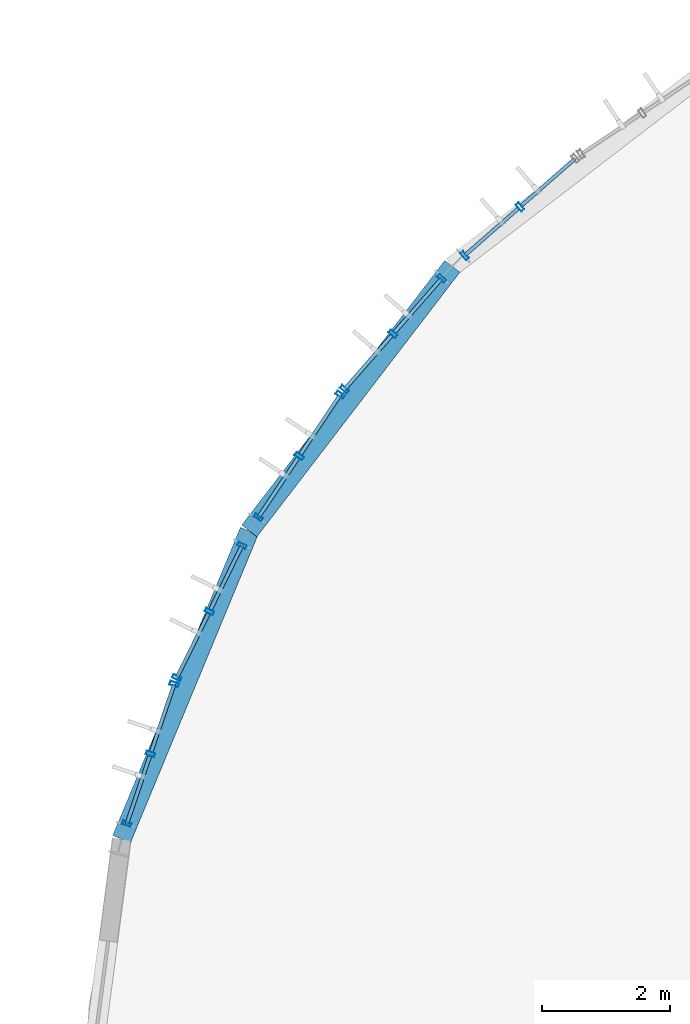
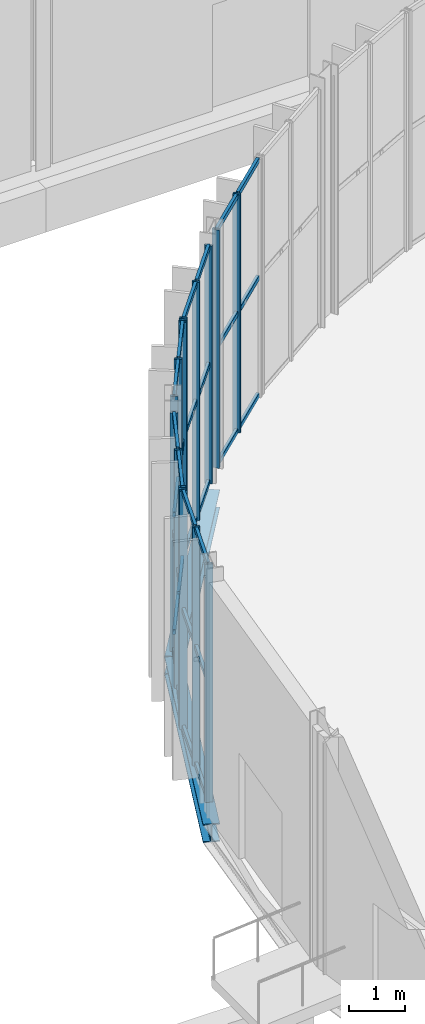
# One storey, part 56 of 158: 44 members, 2 beams, 5 elements without a shape of their own.
"""IFC4 building model written with IfcOpenShell, lengths in metres."""

import ifcopenshell
import ifcopenshell.guid

model = None  # the IFC model being written
_history = None  # IfcOwnerHistory: only IFC2X3 demands one
_inside = {}  # id of a spatial element -> (the spatial element, [elements in it])
_under = {}  # id of a project, library or spatial element -> (it, [spatial elements below it])
_declared = {}  # id of a project -> (the project, [libraries it declares])
_typed = {}  # id of a type object -> (the type object, [elements of that type])
_made_of = {}  # id of a material, layer set ... -> (it, [elements and type objects made of it])


def new_model(schema):
    """Start an empty IFC model of exactly this schema.

    Asked for "IFC4X3", IfcOpenShell would pick the latest addendum, in which some entities
    have other attributes; the version numbers below select the first issue.
    IFC2X3 requires an IfcOwnerHistory on every rooted entity: one is made here for all.
    """
    global model, _history
    if schema == "IFC4X3":
        model = ifcopenshell.file(schema_version=(4, 3, 0, 0))
    else:
        model = ifcopenshell.file(schema=schema)
    _inside.clear()
    _under.clear()
    _declared.clear()
    _typed.clear()
    _made_of.clear()
    _history = None
    if model.schema == "IFC2X3":
        org = make("IfcOrganization", Name="unknown")
        user = make(
            "IfcPersonAndOrganization",
            ThePerson=make("IfcPerson", FamilyName="unknown"),
            TheOrganization=org,
        )
        app = make(
            "IfcApplication",
            ApplicationDeveloper=org,
            Version="unknown",
            ApplicationFullName="unknown",
            ApplicationIdentifier="unknown",
        )
        _history = make(
            "IfcOwnerHistory",
            OwningUser=user,
            OwningApplication=app,
            ChangeAction="ADDED",
            CreationDate=0,
        )
    return model


def make(cls, **values):
    """One entity of the class cls with the attributes given. An attribute that is None is left unset."""
    return model.create_entity(
        cls, **{name: value for name, value in values.items() if value is not None}
    )


def rooted(cls, **values):
    """An entity with a GlobalId (a new one), such as an element, a storey or a relation."""
    return make(cls, GlobalId=ifcopenshell.guid.new(), OwnerHistory=_history, **values)


def si_unit(unit_type, name, prefix=None):
    """IfcSIUnit, for example si_unit("LENGTHUNIT", "METRE", prefix="MILLI")."""
    return make("IfcSIUnit", UnitType=unit_type, Prefix=prefix, Name=name)


def derived_unit(unit_type, elements):
    """IfcDerivedUnit: a product of units, each with its exponent."""
    return make(
        "IfcDerivedUnit",
        Elements=[
            make("IfcDerivedUnitElement", Unit=unit, Exponent=power)
            for unit, power in elements
        ],
        UnitType=unit_type,
    )


def assignment(units):
    """IfcUnitAssignment: the units of a project."""
    return None if units is None else make("IfcUnitAssignment", Units=units)


def point(xyz):
    """IfcCartesianPoint."""
    return None if xyz is None else make("IfcCartesianPoint", Coordinates=xyz)


def direction(xyz):
    """IfcDirection."""
    return None if xyz is None else make("IfcDirection", DirectionRatios=xyz)


def frame(location, z_axis=None, x_axis=None):
    """IfcAxis2Placement3D, a coordinate frame: its origin and axes. An axis left out is left unset."""
    return make(
        "IfcAxis2Placement3D",
        Location=point(location),
        Axis=direction(z_axis),
        RefDirection=direction(x_axis),
    )


def frame_2d(location, x_axis=None):
    """IfcAxis2Placement2D, a coordinate frame in the plane: its origin and x axis."""
    return make(
        "IfcAxis2Placement2D", Location=point(location), RefDirection=direction(x_axis)
    )


def origin():
    """The frame at (0, 0, 0) with its axes left unset."""
    return frame((0.0, 0.0, 0.0))


def origin_2d():
    """The frame at (0, 0) in the plane with its x axis left unset."""
    return frame_2d((0.0, 0.0))


def place(relative_to, where):
    """IfcLocalPlacement: puts the frame where relative to a parent placement (None: the world)."""
    return make(
        "IfcLocalPlacement", PlacementRelTo=relative_to, RelativePlacement=where
    )


def context(
    kind, dimensions, precision=None, world=None, true_north=None, identifier=None
):
    """IfcGeometricRepresentationContext, for example the 3D "Model" context."""
    return make(
        "IfcGeometricRepresentationContext",
        ContextIdentifier=identifier,
        ContextType=kind,
        CoordinateSpaceDimension=dimensions,
        Precision=precision,
        WorldCoordinateSystem=world,
        TrueNorth=true_north,
    )


def subcontext(parent, identifier, kind, view, scale=None):
    """IfcGeometricRepresentationSubContext, for example "Body" below "Model"."""
    return make(
        "IfcGeometricRepresentationSubContext",
        ContextIdentifier=identifier,
        ContextType=kind,
        ParentContext=parent,
        TargetScale=scale,
        TargetView=view,
    )


def project(units=None, contexts=None):
    """IfcProject with its units and contexts."""
    return rooted(
        "IfcProject",
        Name="project",
        RepresentationContexts=contexts,
        UnitsInContext=assignment(units),
    )


def spatial(cls, under=None, at=None, **own):
    """A site, building, storey or space (cls), placed at a placement, below another one or the project."""
    s = rooted(cls, ObjectPlacement=at, **own)
    if under is not None:
        _under.setdefault(under.id(), (under, []))[1].append(s)
    return s


def profile(cls, at=None, kind="AREA", **sizes):
    """A parametric profile (cls). Its sizes go by their IFC names, for example OverallWidth=200.0."""
    return make(cls, ProfileType=kind, Position=at, **sizes)


def hollow_rectangle(**sizes):
    """IfcRectangleHollowProfileDef."""
    return profile("IfcRectangleHollowProfileDef", **sizes)


def i_section(**sizes):
    """IfcIShapeProfileDef."""
    return profile("IfcIShapeProfileDef", **sizes)


def extrude(swept, where, along, depth):
    """IfcExtrudedAreaSolid: the profile swept, set in the frame where, extruded along a direction by depth."""
    return make(
        "IfcExtrudedAreaSolid",
        SweptArea=swept,
        Position=where,
        ExtrudedDirection=direction(along),
        Depth=depth,
    )


def shape(context_of_items, identifier, shape_type, items):
    """IfcShapeRepresentation: the items that make up one representation, for example the "Body"."""
    return make(
        "IfcShapeRepresentation",
        ContextOfItems=context_of_items,
        RepresentationIdentifier=identifier,
        RepresentationType=shape_type,
        Items=items,
    )


def material(Name=None, Category=None):
    """IfcMaterial."""
    return make("IfcMaterial", Name=Name, Category=Category)


def material_profile(
    of_material, cross_section, Name=None, Category=None, Priority=None
):
    """IfcMaterialProfile: a cross section and its material."""
    return make(
        "IfcMaterialProfile",
        Name=Name,
        Material=of_material,
        Profile=cross_section,
        Priority=Priority,
        Category=Category,
    )


def profile_set(profiles, Name=None, composite=None):
    """IfcMaterialProfileSet."""
    return make(
        "IfcMaterialProfileSet",
        Name=Name,
        MaterialProfiles=profiles,
        CompositeProfile=composite,
    )


def made_of(thing, what):
    """Note that an element or type object is made of a material, layer set ...; save() writes the relation."""
    if what is not None:
        _made_of.setdefault(what.id(), (what, []))[1].append(thing)
    return thing


def type_object(cls, material=None, **own):
    """A type object (cls), such as IfcWallType, which elements share."""
    return made_of(rooted(cls, **own), material)


def element(
    cls,
    number,
    at=None,
    inside=None,
    cuts=None,
    type_object=None,
    material=None,
    context=None,
    identifier="Body",
    shape_type=None,
    held_by="IfcProductDefinitionShape",
    body=None,
    shapes=None,
    **own,
):
    """One element of the class cls, such as IfcWall. Its Tag is "e" and its number.

    at: its placement. inside: the storey or other place that contains it. cuts: it is an
    opening in that element (IfcRelVoidsElement). A single representation is given by context,
    identifier, shape_type and body (its items); several are given by shapes. held_by: the class
    of the entity that holds the representations. save() writes the other relations.
    """
    e = rooted(cls, Tag="e%d" % number, ObjectPlacement=at, **own)
    if body is not None:
        shapes = [shape(context, identifier, shape_type, body)]
    if shapes is not None:
        e.Representation = make(held_by, Representations=shapes)
    if inside is not None:
        _inside.setdefault(inside.id(), (inside, []))[1].append(e)
    if cuts is not None:
        rooted(
            "IfcRelVoidsElement", RelatingBuildingElement=cuts, RelatedOpeningElement=e
        )
    if type_object is not None:
        _typed.setdefault(type_object.id(), (type_object, []))[1].append(e)
    return made_of(e, material)


def aggregate(whole, parts):
    """IfcRelAggregates: a whole, such as a stair, and the parts it consists of."""
    return rooted("IfcRelAggregates", RelatingObject=whole, RelatedObjects=parts)


def save(model, path):
    """Write the relations noted so far, then the file.

    IfcRelAggregates (storeys below a building ...), IfcRelContainedInSpatialStructure (elements
    in a storey), IfcRelDefinesByType, IfcRelAssociatesMaterial and IfcRelDeclares: one each for
    every whole, place, type object, material and project.
    """
    for whole, parts in _under.values():
        aggregate(whole, parts)
    for where, things in _inside.values():
        rooted(
            "IfcRelContainedInSpatialStructure",
            RelatedElements=things,
            RelatingStructure=where,
        )
    for kind, things in _typed.values():
        rooted("IfcRelDefinesByType", RelatedObjects=things, RelatingType=kind)
    for what, things in _made_of.values():
        rooted("IfcRelAssociatesMaterial", RelatedObjects=things, RelatingMaterial=what)
    for by, libraries in _declared.values():
        rooted("IfcRelDeclares", RelatingContext=by, RelatedDefinitions=libraries)
    model.write(path)


model = new_model("IFC4")

# Units and contexts
model_context = context("Model", 3, precision=1e-05, world=origin(), true_north=direction((0.0, 1.0)))
body_context = subcontext(model_context, "Body", "Model", "MODEL_VIEW")
ifc_project = project(units=[si_unit("LENGTHUNIT", "METRE"), si_unit("AREAUNIT", "SQUARE_METRE"), si_unit("VOLUMEUNIT", "CUBIC_METRE"), si_unit("PLANEANGLEUNIT", "RADIAN"), si_unit("MASSUNIT", "GRAM", prefix="KILO"), si_unit("THERMODYNAMICTEMPERATUREUNIT", "KELVIN"), si_unit("TIMEUNIT", "SECOND"), derived_unit("THERMALTRANSMITTANCEUNIT", [(si_unit("MASSUNIT", "GRAM", prefix="KILO"), 1), (si_unit("THERMODYNAMICTEMPERATUREUNIT", "KELVIN"), -1), (si_unit("TIMEUNIT", "SECOND"), -3)])], contexts=[model_context])

# Site, building, storey
site_placement = place(None, origin())
site = spatial("IfcSite", under=ifc_project, at=site_placement, CompositionType="ELEMENT")
building_placement = place(site_placement, origin())
building = spatial("IfcBuilding", under=site, at=building_placement, Name="Cambertide Market Hall", CompositionType="ELEMENT")
storey_placement = place(building_placement, origin())
storey = spatial("IfcBuildingStorey", under=building, at=storey_placement, Name="L01", CompositionType="ELEMENT", Elevation=0.0)

# Curtain wall, members
ifc_material_1 = material(Name="Marine Anodized Aluminium 6063-T6 AA25", Category="aluminium")
curtain_wall_type = type_object("IfcCurtainWallType", Name="Lantern Apse Chord Lower Curtain Wall", PredefinedType="USERDEFINED", material=ifc_material_1)
curtain_wall_1_placement = place(storey_placement, origin())
curtain_wall_1 = element("IfcCurtainWall", 1, at=curtain_wall_1_placement, inside=storey, type_object=curtain_wall_type, Name="Level 1 Curtain Wall CW-V1AW-L01-06", ObjectType="UNITIZED CURTAIN WALL", PredefinedType="USERDEFINED")
ifc_material_2 = material(Name="Champagne Marine Anodized Aluminium 6063-T6 AA25", Category="aluminium")
ifc_material_profile_1 = material_profile(ifc_material_2, hollow_rectangle(XDim=0.06005859375, YDim=0.139892578125, WallThickness=0.00341796875, at=origin_2d()), Name="ALU MULLION 60x140")
ifc_profile_set_1 = profile_set([ifc_material_profile_1], Name="Champagne Marine Anodized Aluminium 6063-T6 AA25")
member_type_1 = type_object("IfcMemberType", Name="Curtain Wall Mullion ALU MULLION 60x140", PredefinedType="MULLION", material=ifc_profile_set_1)
member_1_placement = place(storey_placement, frame((28.049560546875, 86.310302734375, 0.0), z_axis=(0.0, 0.0, 1.0), x_axis=(0.751839834741, 0.659345784014, 0.0)))
member_1 = element("IfcMember", 2, at=member_1_placement, type_object=member_type_1, Name="CW-V1AW-L01-06 Mullion 1", PredefinedType="MULLION", context=body_context, shape_type="SweptSolid", body=[
    extrude(hollow_rectangle(XDim=0.06005859375, YDim=0.139892578125, WallThickness=0.00341796875, at=origin_2d()), origin(), (0.0, 0.0, 1.0), 5.159912109375),
])
member_2_placement = place(storey_placement, frame((28.91650390625, 87.070556640625, 0.0), z_axis=(0.0, 0.0, 1.0), x_axis=(0.751839834741, 0.659345784014, 0.0)))
member_2 = element("IfcMember", 3, at=member_2_placement, type_object=member_type_1, Name="CW-V1AW-L01-06 Mullion 2", PredefinedType="MULLION", context=body_context, shape_type="SweptSolid", body=[
    extrude(hollow_rectangle(XDim=0.06005859375, YDim=0.139892578125, WallThickness=0.00341796875, at=origin_2d()), origin(), (0.0, 0.0, 1.0), 5.159912109375),
])

curtain_wall_2_placement = place(storey_placement, origin())
curtain_wall_2 = element("IfcCurtainWall", 4, at=curtain_wall_2_placement, inside=storey, type_object=curtain_wall_type, Name="Level 1 Curtain Wall CW-V1AW-L01-07", ObjectType="UNITIZED CURTAIN WALL", PredefinedType="USERDEFINED")
member_3_placement = place(storey_placement, frame((26.169189453125, 84.216552734375, 0.0), z_axis=(0.0, 0.0, 1.0), x_axis=(0.659345784014, 0.751839834741, 0.0)))
member_3 = element("IfcMember", 5, at=member_3_placement, type_object=member_type_1, Name="CW-V1AW-L01-07 Mullion 1", PredefinedType="MULLION", context=body_context, shape_type="SweptSolid", body=[
    extrude(hollow_rectangle(XDim=0.06005859375, YDim=0.139892578125, WallThickness=0.00341796875, at=origin_2d()), origin(), (0.0, 0.0, 1.0), 5.159912109375),
])
member_4_placement = place(storey_placement, frame((26.929443359375, 85.08349609375, 0.0), z_axis=(0.0, 0.0, 1.0), x_axis=(0.659345784014, 0.751839834741, 0.0)))
member_4 = element("IfcMember", 6, at=member_4_placement, type_object=member_type_1, Name="CW-V1AW-L01-07 Mullion 2", PredefinedType="MULLION", context=body_context, shape_type="SweptSolid", body=[
    extrude(hollow_rectangle(XDim=0.06005859375, YDim=0.139892578125, WallThickness=0.00341796875, at=origin_2d()), origin(), (0.0, 0.0, 1.0), 5.159912109375),
])
member_5_placement = place(storey_placement, frame((27.689697265625, 85.950439453125, 0.0), z_axis=(0.0, 0.0, 1.0), x_axis=(0.659345784014, 0.751839834741, 0.0)))
member_5 = element("IfcMember", 7, at=member_5_placement, type_object=member_type_1, Name="CW-V1AW-L01-07 Mullion 3", PredefinedType="MULLION", context=body_context, shape_type="SweptSolid", body=[
    extrude(hollow_rectangle(XDim=0.06005859375, YDim=0.139892578125, WallThickness=0.00341796875, at=origin_2d()), origin(), (0.0, 0.0, 1.0), 5.159912109375),
])

curtain_wall_3_placement = place(storey_placement, origin())
curtain_wall_3 = element("IfcCurtainWall", 8, at=curtain_wall_3_placement, inside=storey, type_object=curtain_wall_type, Name="Level 1 Curtain Wall CW-V1AW-L01-08", ObjectType="UNITIZED CURTAIN WALL", PredefinedType="USERDEFINED")
member_6_placement = place(storey_placement, frame((24.821044921875, 82.2119140625, 0.0), z_axis=(0.0, 0.0, 1.0), x_axis=(0.555570087582, 0.831469709481, 0.0)))
member_6 = element("IfcMember", 9, at=member_6_placement, type_object=member_type_1, Name="CW-V1AW-L01-08 Mullion 1", PredefinedType="MULLION", context=body_context, shape_type="SweptSolid", body=[
    extrude(hollow_rectangle(XDim=0.06005859375, YDim=0.139892578125, WallThickness=0.00341796875, at=origin_2d()), origin(), (0.0, 0.0, 1.0), 5.159912109375),
])
member_7_placement = place(storey_placement, frame((25.461669921875, 83.170654296875, 0.0), z_axis=(0.0, 0.0, 1.0), x_axis=(0.555570087582, 0.831469709481, 0.0)))
member_7 = element("IfcMember", 10, at=member_7_placement, type_object=member_type_1, Name="CW-V1AW-L01-08 Mullion 2", PredefinedType="MULLION", context=body_context, shape_type="SweptSolid", body=[
    extrude(hollow_rectangle(XDim=0.06005859375, YDim=0.139892578125, WallThickness=0.00341796875, at=origin_2d()), origin(), (0.0, 0.0, 1.0), 5.159912109375),
])
member_8_placement = place(storey_placement, frame((26.102294921875, 84.12939453125, 0.0), z_axis=(0.0, 0.0, 1.0), x_axis=(0.555570087582, 0.831469709481, 0.0)))
member_8 = element("IfcMember", 11, at=member_8_placement, type_object=member_type_1, Name="CW-V1AW-L01-08 Mullion 3", PredefinedType="MULLION", context=body_context, shape_type="SweptSolid", body=[
    extrude(hollow_rectangle(XDim=0.06005859375, YDim=0.139892578125, WallThickness=0.00341796875, at=origin_2d()), origin(), (0.0, 0.0, 1.0), 5.159912109375),
])

curtain_wall_4_placement = place(storey_placement, origin())
curtain_wall_4 = element("IfcCurtainWall", 12, at=curtain_wall_4_placement, inside=storey, type_object=curtain_wall_type, Name="Level 1 Curtain Wall CW-V1AW-L01-09", ObjectType="UNITIZED CURTAIN WALL", PredefinedType="USERDEFINED")
member_9_placement = place(storey_placement, frame((23.546630859375, 79.702880859375, 0.0), z_axis=(0.0, 0.0, 1.0), x_axis=(0.442288874522, 0.896872650645, 0.0)))
member_9 = element("IfcMember", 13, at=member_9_placement, type_object=member_type_1, Name="CW-V1AW-L01-09 Mullion 1", PredefinedType="MULLION", context=body_context, shape_type="SweptSolid", body=[
    extrude(hollow_rectangle(XDim=0.06005859375, YDim=0.139892578125, WallThickness=0.00341796875, at=origin_2d()), origin(), (0.0, 0.0, 1.0), 5.159912109375),
])
member_10_placement = place(storey_placement, frame((24.056640625, 80.737060546875, 0.0), z_axis=(0.0, 0.0, 1.0), x_axis=(0.442288874522, 0.896872650645, 0.0)))
member_10 = element("IfcMember", 14, at=member_10_placement, type_object=member_type_1, Name="CW-V1AW-L01-09 Mullion 2", PredefinedType="MULLION", context=body_context, shape_type="SweptSolid", body=[
    extrude(hollow_rectangle(XDim=0.06005859375, YDim=0.139892578125, WallThickness=0.00341796875, at=origin_2d()), origin(), (0.0, 0.0, 1.0), 5.159912109375),
])
member_11_placement = place(storey_placement, frame((24.566650390625, 81.771240234375, 0.0), z_axis=(0.0, 0.0, 1.0), x_axis=(0.442288874522, 0.896872650645, 0.0)))
member_11 = element("IfcMember", 15, at=member_11_placement, type_object=member_type_1, Name="CW-V1AW-L01-09 Mullion 3", PredefinedType="MULLION", context=body_context, shape_type="SweptSolid", body=[
    extrude(hollow_rectangle(XDim=0.06005859375, YDim=0.139892578125, WallThickness=0.00341796875, at=origin_2d()), origin(), (0.0, 0.0, 1.0), 5.159912109375),
])

curtain_wall_5_placement = place(storey_placement, origin())
curtain_wall_5 = element("IfcCurtainWall", 16, at=curtain_wall_5_placement, inside=storey, type_object=curtain_wall_type, Name="Level 1 Curtain Wall CW-V1AW-L01-10", ObjectType="UNITIZED CURTAIN WALL", PredefinedType="USERDEFINED")
member_12_placement = place(storey_placement, frame((22.763427734375, 77.41796875, 0.0), z_axis=(0.0, 0.0, 1.0), x_axis=(0.32143947831, 0.94693012508, 0.0)))
member_12 = element("IfcMember", 17, at=member_12_placement, type_object=member_type_1, Name="CW-V1AW-L01-10 Mullion 1", PredefinedType="MULLION", context=body_context, shape_type="SweptSolid", body=[
    extrude(hollow_rectangle(XDim=0.06005859375, YDim=0.139892578125, WallThickness=0.00341796875, at=origin_2d()), origin(), (0.0, 0.0, 1.0), 5.159912109375),
])
member_13_placement = place(storey_placement, frame((23.134033203125, 78.509765625, 0.0), z_axis=(0.0, 0.0, 1.0), x_axis=(0.32143947831, 0.94693012508, 0.0)))
member_13 = element("IfcMember", 18, at=member_13_placement, type_object=member_type_1, Name="CW-V1AW-L01-10 Mullion 2", PredefinedType="MULLION", context=body_context, shape_type="SweptSolid", body=[
    extrude(hollow_rectangle(XDim=0.06005859375, YDim=0.139892578125, WallThickness=0.00341796875, at=origin_2d()), origin(), (0.0, 0.0, 1.0), 5.159912109375),
])
member_14_placement = place(storey_placement, frame((23.504638671875, 79.6015625, 0.0), z_axis=(0.0, 0.0, 1.0), x_axis=(0.32143947831, 0.94693012508, 0.0)))
member_14 = element("IfcMember", 19, at=member_14_placement, type_object=member_type_1, Name="CW-V1AW-L01-10 Mullion 3", PredefinedType="MULLION", context=body_context, shape_type="SweptSolid", body=[
    extrude(hollow_rectangle(XDim=0.06005859375, YDim=0.139892578125, WallThickness=0.00341796875, at=origin_2d()), origin(), (0.0, 0.0, 1.0), 5.159912109375),
])

# Member
ifc_material_3 = material(Name="Champagne Marine Anodized Aluminium 6063-T6 AA25", Category="aluminium")
ifc_material_profile_2 = material_profile(ifc_material_3, hollow_rectangle(XDim=0.06005859375, YDim=0.10498046875, WallThickness=0.0029296875, at=origin_2d()), Name="ALU TRANSOM 60x105")
ifc_profile_set_2 = profile_set([ifc_material_profile_2], Name="Champagne Marine Anodized Aluminium 6063-T6 AA25")
member_type_2 = type_object("IfcMemberType", Name="Curtain Wall Transom ALU TRANSOM 60x105", PredefinedType="USERDEFINED", material=ifc_profile_set_2)
member_15_placement = place(storey_placement, frame((28.05322265625, 86.3134765625, 0.034912109375), z_axis=(0.751852984677, 0.659330789082, 0.0), x_axis=(-0.659330789082, 0.751852984677, 0.0)))
member_15 = element("IfcMember", 20, at=member_15_placement, type_object=member_type_2, Name="CW-V1AW-L01-06 Transom 1-1", ObjectType="TRANSOM", PredefinedType="USERDEFINED", context=body_context, shape_type="SweptSolid", body=[
    extrude(hollow_rectangle(XDim=0.06005859375, YDim=0.10498046875, WallThickness=0.0029296875, at=origin_2d()), origin(), (0.0, 0.0, 1.0), 1.108154296875),
])

member_16_placement = place(storey_placement, frame((28.946533203125, 87.096923828125, 0.034912109375), z_axis=(0.751866427049, 0.659315460062, 0.0), x_axis=(-0.659315460062, 0.751866427049, 0.0)))
member_16 = element("IfcMember", 21, at=member_16_placement, type_object=member_type_2, Name="CW-V1AW-L01-06 Transom 1-2", ObjectType="TRANSOM", PredefinedType="USERDEFINED", context=body_context, shape_type="SweptSolid", body=[
    extrude(hollow_rectangle(XDim=0.06005859375, YDim=0.10498046875, WallThickness=0.0029296875, at=origin_2d()), origin(), (0.0, 0.0, 1.0), 1.10791015625),
])

member_17_placement = place(storey_placement, frame((28.05322265625, 86.3134765625, 2.580078125), z_axis=(0.751852984677, 0.659330789082, 0.0), x_axis=(-0.659330789082, 0.751852984677, 0.0)))
member_17 = element("IfcMember", 22, at=member_17_placement, type_object=member_type_2, Name="CW-V1AW-L01-06 Transom 2-1", ObjectType="TRANSOM", PredefinedType="USERDEFINED", context=body_context, shape_type="SweptSolid", body=[
    extrude(hollow_rectangle(XDim=0.06005859375, YDim=0.10498046875, WallThickness=0.0029296875, at=origin_2d()), origin(), (0.0, 0.0, 1.0), 1.108154296875),
])

member_18_placement = place(storey_placement, frame((28.946533203125, 87.096923828125, 2.580078125), z_axis=(0.751866427049, 0.659315460062, 0.0), x_axis=(-0.659315460062, 0.751866427049, 0.0)))
member_18 = element("IfcMember", 23, at=member_18_placement, type_object=member_type_2, Name="CW-V1AW-L01-06 Transom 2-2", ObjectType="TRANSOM", PredefinedType="USERDEFINED", context=body_context, shape_type="SweptSolid", body=[
    extrude(hollow_rectangle(XDim=0.06005859375, YDim=0.10498046875, WallThickness=0.0029296875, at=origin_2d()), origin(), (0.0, 0.0, 1.0), 1.10791015625),
])

member_19_placement = place(storey_placement, frame((28.05322265625, 86.3134765625, 5.125), z_axis=(0.751852984677, 0.659330789082, 0.0), x_axis=(-0.659330789082, 0.751852984677, 0.0)))
member_19 = element("IfcMember", 24, at=member_19_placement, type_object=member_type_2, Name="CW-V1AW-L01-06 Transom 3-1", ObjectType="TRANSOM", PredefinedType="USERDEFINED", context=body_context, shape_type="SweptSolid", body=[
    extrude(hollow_rectangle(XDim=0.06005859375, YDim=0.10498046875, WallThickness=0.0029296875, at=origin_2d()), origin(), (0.0, 0.0, 1.0), 1.108154296875),
])

member_20_placement = place(storey_placement, frame((28.946533203125, 87.096923828125, 5.125), z_axis=(0.751866427049, 0.659315460062, 0.0), x_axis=(-0.659315460062, 0.751866427049, 0.0)))
member_20 = element("IfcMember", 25, at=member_20_placement, type_object=member_type_2, Name="CW-V1AW-L01-06 Transom 3-2", ObjectType="TRANSOM", PredefinedType="USERDEFINED", context=body_context, shape_type="SweptSolid", body=[
    extrude(hollow_rectangle(XDim=0.06005859375, YDim=0.10498046875, WallThickness=0.0029296875, at=origin_2d()), origin(), (0.0, 0.0, 1.0), 1.10791015625),
])

aggregate(curtain_wall_1, [member_1, member_2, member_15, member_16, member_17, member_18, member_19, member_20])

member_21_placement = place(storey_placement, frame((26.172607421875, 84.220458984375, 0.034912109375), z_axis=(0.659315460062, 0.751866427049, 0.0), x_axis=(-0.751866427049, 0.659315460062, 0.0)))
member_21 = element("IfcMember", 26, at=member_21_placement, type_object=member_type_2, Name="CW-V1AW-L01-07 Transom 1-1", ObjectType="TRANSOM", PredefinedType="USERDEFINED", context=body_context, shape_type="SweptSolid", body=[
    extrude(hollow_rectangle(XDim=0.06005859375, YDim=0.10498046875, WallThickness=0.0029296875, at=origin_2d()), origin(), (0.0, 0.0, 1.0), 1.10791015625),
])

member_22_placement = place(storey_placement, frame((26.955810546875, 85.113525390625, 0.034912109375), z_axis=(0.659330789082, 0.751852984677, 0.0), x_axis=(-0.751852984677, 0.659330789082, 0.0)))
member_22 = element("IfcMember", 27, at=member_22_placement, type_object=member_type_2, Name="CW-V1AW-L01-07 Transom 1-2", ObjectType="TRANSOM", PredefinedType="USERDEFINED", context=body_context, shape_type="SweptSolid", body=[
    extrude(hollow_rectangle(XDim=0.06005859375, YDim=0.10498046875, WallThickness=0.0029296875, at=origin_2d()), origin(), (0.0, 0.0, 1.0), 1.108154296875),
])

member_23_placement = place(storey_placement, frame((26.172607421875, 84.220458984375, 2.580078125), z_axis=(0.659315460062, 0.751866427049, 0.0), x_axis=(-0.751866427049, 0.659315460062, 0.0)))
member_23 = element("IfcMember", 28, at=member_23_placement, type_object=member_type_2, Name="CW-V1AW-L01-07 Transom 2-1", ObjectType="TRANSOM", PredefinedType="USERDEFINED", context=body_context, shape_type="SweptSolid", body=[
    extrude(hollow_rectangle(XDim=0.06005859375, YDim=0.10498046875, WallThickness=0.0029296875, at=origin_2d()), origin(), (0.0, 0.0, 1.0), 1.10791015625),
])

member_24_placement = place(storey_placement, frame((26.955810546875, 85.113525390625, 2.580078125), z_axis=(0.659330789082, 0.751852984677, 0.0), x_axis=(-0.751852984677, 0.659330789082, 0.0)))
member_24 = element("IfcMember", 29, at=member_24_placement, type_object=member_type_2, Name="CW-V1AW-L01-07 Transom 2-2", ObjectType="TRANSOM", PredefinedType="USERDEFINED", context=body_context, shape_type="SweptSolid", body=[
    extrude(hollow_rectangle(XDim=0.06005859375, YDim=0.10498046875, WallThickness=0.0029296875, at=origin_2d()), origin(), (0.0, 0.0, 1.0), 1.108154296875),
])

member_25_placement = place(storey_placement, frame((26.172607421875, 84.220458984375, 5.125), z_axis=(0.659315460062, 0.751866427049, 0.0), x_axis=(-0.751866427049, 0.659315460062, 0.0)))
member_25 = element("IfcMember", 30, at=member_25_placement, type_object=member_type_2, Name="CW-V1AW-L01-07 Transom 3-1", ObjectType="TRANSOM", PredefinedType="USERDEFINED", context=body_context, shape_type="SweptSolid", body=[
    extrude(hollow_rectangle(XDim=0.06005859375, YDim=0.10498046875, WallThickness=0.0029296875, at=origin_2d()), origin(), (0.0, 0.0, 1.0), 1.10791015625),
])

member_26_placement = place(storey_placement, frame((26.955810546875, 85.113525390625, 5.125), z_axis=(0.659330789082, 0.751852984677, 0.0), x_axis=(-0.751852984677, 0.659330789082, 0.0)))
member_26 = element("IfcMember", 31, at=member_26_placement, type_object=member_type_2, Name="CW-V1AW-L01-07 Transom 3-2", ObjectType="TRANSOM", PredefinedType="USERDEFINED", context=body_context, shape_type="SweptSolid", body=[
    extrude(hollow_rectangle(XDim=0.06005859375, YDim=0.10498046875, WallThickness=0.0029296875, at=origin_2d()), origin(), (0.0, 0.0, 1.0), 1.108154296875),
])

aggregate(curtain_wall_2, [member_3, member_4, member_5, member_21, member_22, member_23, member_24, member_25, member_26])

member_27_placement = place(storey_placement, frame((24.823974609375, 82.216064453125, 0.034912109375), z_axis=(0.555462658685, 0.83154148111, 0.0), x_axis=(-0.83154148111, 0.555462658685, 0.0)))
member_27 = element("IfcMember", 32, at=member_27_placement, type_object=member_type_2, Name="CW-V1AW-L01-08 Transom 1-1", ObjectType="TRANSOM", PredefinedType="USERDEFINED", context=body_context, shape_type="SweptSolid", body=[
    extrude(hollow_rectangle(XDim=0.06005859375, YDim=0.10498046875, WallThickness=0.0029296875, at=origin_2d()), origin(), (0.0, 0.0, 1.0), 1.108154296875),
])

member_28_placement = place(storey_placement, frame((25.48388671875, 83.2041015625, 0.034912109375), z_axis=(0.55571677103, 0.831371680054, 0.0), x_axis=(-0.831371680054, 0.55571677103, 0.0)))
member_28 = element("IfcMember", 33, at=member_28_placement, type_object=member_type_2, Name="CW-V1AW-L01-08 Transom 1-2", ObjectType="TRANSOM", PredefinedType="USERDEFINED", context=body_context, shape_type="SweptSolid", body=[
    extrude(hollow_rectangle(XDim=0.06005859375, YDim=0.10498046875, WallThickness=0.0029296875, at=origin_2d()), origin(), (0.0, 0.0, 1.0), 1.10791015625),
])

member_29_placement = place(storey_placement, frame((24.823974609375, 82.216064453125, 2.580078125), z_axis=(0.555462658685, 0.83154148111, 0.0), x_axis=(-0.83154148111, 0.555462658685, 0.0)))
member_29 = element("IfcMember", 34, at=member_29_placement, type_object=member_type_2, Name="CW-V1AW-L01-08 Transom 2-1", ObjectType="TRANSOM", PredefinedType="USERDEFINED", context=body_context, shape_type="SweptSolid", body=[
    extrude(hollow_rectangle(XDim=0.06005859375, YDim=0.10498046875, WallThickness=0.0029296875, at=origin_2d()), origin(), (0.0, 0.0, 1.0), 1.108154296875),
])

member_30_placement = place(storey_placement, frame((25.48388671875, 83.2041015625, 2.580078125), z_axis=(0.55571677103, 0.831371680054, 0.0), x_axis=(-0.831371680054, 0.55571677103, 0.0)))
member_30 = element("IfcMember", 35, at=member_30_placement, type_object=member_type_2, Name="CW-V1AW-L01-08 Transom 2-2", ObjectType="TRANSOM", PredefinedType="USERDEFINED", context=body_context, shape_type="SweptSolid", body=[
    extrude(hollow_rectangle(XDim=0.06005859375, YDim=0.10498046875, WallThickness=0.0029296875, at=origin_2d()), origin(), (0.0, 0.0, 1.0), 1.10791015625),
])

member_31_placement = place(storey_placement, frame((24.823974609375, 82.216064453125, 5.125), z_axis=(0.555462658685, 0.83154148111, 0.0), x_axis=(-0.83154148111, 0.555462658685, 0.0)))
member_31 = element("IfcMember", 36, at=member_31_placement, type_object=member_type_2, Name="CW-V1AW-L01-08 Transom 3-1", ObjectType="TRANSOM", PredefinedType="USERDEFINED", context=body_context, shape_type="SweptSolid", body=[
    extrude(hollow_rectangle(XDim=0.06005859375, YDim=0.10498046875, WallThickness=0.0029296875, at=origin_2d()), origin(), (0.0, 0.0, 1.0), 1.108154296875),
])

member_32_placement = place(storey_placement, frame((25.48388671875, 83.2041015625, 5.125), z_axis=(0.55571677103, 0.831371680054, 0.0), x_axis=(-0.831371680054, 0.55571677103, 0.0)))
member_32 = element("IfcMember", 37, at=member_32_placement, type_object=member_type_2, Name="CW-V1AW-L01-08 Transom 3-2", ObjectType="TRANSOM", PredefinedType="USERDEFINED", context=body_context, shape_type="SweptSolid", body=[
    extrude(hollow_rectangle(XDim=0.06005859375, YDim=0.10498046875, WallThickness=0.0029296875, at=origin_2d()), origin(), (0.0, 0.0, 1.0), 1.10791015625),
])

aggregate(curtain_wall_3, [member_6, member_7, member_8, member_27, member_28, member_29, member_30, member_31, member_32])

member_33_placement = place(storey_placement, frame((23.548828125, 79.70751953125, 0.034912109375), z_axis=(0.44244786472, 0.896794227794, 0.0), x_axis=(-0.896794227794, 0.44244786472, 0.0)))
member_33 = element("IfcMember", 38, at=member_33_placement, type_object=member_type_2, Name="CW-V1AW-L01-09 Transom 1-1", ObjectType="TRANSOM", PredefinedType="USERDEFINED", context=body_context, shape_type="SweptSolid", body=[
    extrude(hollow_rectangle(XDim=0.06005859375, YDim=0.10498046875, WallThickness=0.0029296875, at=origin_2d()), origin(), (0.0, 0.0, 1.0), 1.10791015625),
])

member_34_placement = place(storey_placement, frame((24.074462890625, 80.77294921875, 0.034912109375), z_axis=(0.442183235129, 0.896924738521, 0.0), x_axis=(-0.896924738521, 0.442183235129, 0.0)))
member_34 = element("IfcMember", 39, at=member_34_placement, type_object=member_type_2, Name="CW-V1AW-L01-09 Transom 1-2", ObjectType="TRANSOM", PredefinedType="USERDEFINED", context=body_context, shape_type="SweptSolid", body=[
    extrude(hollow_rectangle(XDim=0.06005859375, YDim=0.10498046875, WallThickness=0.0029296875, at=origin_2d()), origin(), (0.0, 0.0, 1.0), 1.108154296875),
])

member_35_placement = place(storey_placement, frame((23.548828125, 79.70751953125, 2.580078125), z_axis=(0.44244786472, 0.896794227794, 0.0), x_axis=(-0.896794227794, 0.44244786472, 0.0)))
member_35 = element("IfcMember", 40, at=member_35_placement, type_object=member_type_2, Name="CW-V1AW-L01-09 Transom 2-1", ObjectType="TRANSOM", PredefinedType="USERDEFINED", context=body_context, shape_type="SweptSolid", body=[
    extrude(hollow_rectangle(XDim=0.06005859375, YDim=0.10498046875, WallThickness=0.0029296875, at=origin_2d()), origin(), (0.0, 0.0, 1.0), 1.10791015625),
])

member_36_placement = place(storey_placement, frame((24.074462890625, 80.77294921875, 2.580078125), z_axis=(0.442183235129, 0.896924738521, 0.0), x_axis=(-0.896924738521, 0.442183235129, 0.0)))
member_36 = element("IfcMember", 41, at=member_36_placement, type_object=member_type_2, Name="CW-V1AW-L01-09 Transom 2-2", ObjectType="TRANSOM", PredefinedType="USERDEFINED", context=body_context, shape_type="SweptSolid", body=[
    extrude(hollow_rectangle(XDim=0.06005859375, YDim=0.10498046875, WallThickness=0.0029296875, at=origin_2d()), origin(), (0.0, 0.0, 1.0), 1.108154296875),
])

member_37_placement = place(storey_placement, frame((23.548828125, 79.70751953125, 5.125), z_axis=(0.44244786472, 0.896794227794, 0.0), x_axis=(-0.896794227794, 0.44244786472, 0.0)))
member_37 = element("IfcMember", 42, at=member_37_placement, type_object=member_type_2, Name="CW-V1AW-L01-09 Transom 3-1", ObjectType="TRANSOM", PredefinedType="USERDEFINED", context=body_context, shape_type="SweptSolid", body=[
    extrude(hollow_rectangle(XDim=0.06005859375, YDim=0.10498046875, WallThickness=0.0029296875, at=origin_2d()), origin(), (0.0, 0.0, 1.0), 1.10791015625),
])

member_38_placement = place(storey_placement, frame((24.074462890625, 80.77294921875, 5.125), z_axis=(0.442183235129, 0.896924738521, 0.0), x_axis=(-0.896924738521, 0.442183235129, 0.0)))
member_38 = element("IfcMember", 43, at=member_38_placement, type_object=member_type_2, Name="CW-V1AW-L01-09 Transom 3-2", ObjectType="TRANSOM", PredefinedType="USERDEFINED", context=body_context, shape_type="SweptSolid", body=[
    extrude(hollow_rectangle(XDim=0.06005859375, YDim=0.10498046875, WallThickness=0.0029296875, at=origin_2d()), origin(), (0.0, 0.0, 1.0), 1.108154296875),
])

aggregate(curtain_wall_4, [member_9, member_10, member_11, member_33, member_34, member_35, member_36, member_37, member_38])

member_39_placement = place(storey_placement, frame((22.76513671875, 77.422607421875, 0.034912109375), z_axis=(0.321444521782, 0.946928413037, 0.0), x_axis=(-0.946928413037, 0.321444521782, 0.0)))
member_39 = element("IfcMember", 44, at=member_39_placement, type_object=member_type_2, Name="CW-V1AW-L01-10 Transom 1-1", ObjectType="TRANSOM", PredefinedType="USERDEFINED", context=body_context, shape_type="SweptSolid", body=[
    extrude(hollow_rectangle(XDim=0.06005859375, YDim=0.10498046875, WallThickness=0.0029296875, at=origin_2d()), origin(), (0.0, 0.0, 1.0), 1.108154296875),
])

member_40_placement = place(storey_placement, frame((23.14697265625, 78.547607421875, 0.034912109375), z_axis=(0.321444521782, 0.946928413037, 0.0), x_axis=(-0.946928413037, 0.321444521782, 0.0)))
member_40 = element("IfcMember", 45, at=member_40_placement, type_object=member_type_2, Name="CW-V1AW-L01-10 Transom 1-2", ObjectType="TRANSOM", PredefinedType="USERDEFINED", context=body_context, shape_type="SweptSolid", body=[
    extrude(hollow_rectangle(XDim=0.06005859375, YDim=0.10498046875, WallThickness=0.0029296875, at=origin_2d()), origin(), (0.0, 0.0, 1.0), 1.108154296875),
])

member_41_placement = place(storey_placement, frame((22.76513671875, 77.422607421875, 2.580078125), z_axis=(0.321444521782, 0.946928413037, 0.0), x_axis=(-0.946928413037, 0.321444521782, 0.0)))
member_41 = element("IfcMember", 46, at=member_41_placement, type_object=member_type_2, Name="CW-V1AW-L01-10 Transom 2-1", ObjectType="TRANSOM", PredefinedType="USERDEFINED", context=body_context, shape_type="SweptSolid", body=[
    extrude(hollow_rectangle(XDim=0.06005859375, YDim=0.10498046875, WallThickness=0.0029296875, at=origin_2d()), origin(), (0.0, 0.0, 1.0), 1.108154296875),
])

member_42_placement = place(storey_placement, frame((23.14697265625, 78.547607421875, 2.580078125), z_axis=(0.321444521782, 0.946928413037, 0.0), x_axis=(-0.946928413037, 0.321444521782, 0.0)))
member_42 = element("IfcMember", 47, at=member_42_placement, type_object=member_type_2, Name="CW-V1AW-L01-10 Transom 2-2", ObjectType="TRANSOM", PredefinedType="USERDEFINED", context=body_context, shape_type="SweptSolid", body=[
    extrude(hollow_rectangle(XDim=0.06005859375, YDim=0.10498046875, WallThickness=0.0029296875, at=origin_2d()), origin(), (0.0, 0.0, 1.0), 1.108154296875),
])

member_43_placement = place(storey_placement, frame((22.76513671875, 77.422607421875, 5.125), z_axis=(0.321444521782, 0.946928413037, 0.0), x_axis=(-0.946928413037, 0.321444521782, 0.0)))
member_43 = element("IfcMember", 48, at=member_43_placement, type_object=member_type_2, Name="CW-V1AW-L01-10 Transom 3-1", ObjectType="TRANSOM", PredefinedType="USERDEFINED", context=body_context, shape_type="SweptSolid", body=[
    extrude(hollow_rectangle(XDim=0.06005859375, YDim=0.10498046875, WallThickness=0.0029296875, at=origin_2d()), origin(), (0.0, 0.0, 1.0), 1.108154296875),
])

member_44_placement = place(storey_placement, frame((23.14697265625, 78.547607421875, 5.125), z_axis=(0.321444521782, 0.946928413037, 0.0), x_axis=(-0.946928413037, 0.321444521782, 0.0)))
member_44 = element("IfcMember", 49, at=member_44_placement, type_object=member_type_2, Name="CW-V1AW-L01-10 Transom 3-2", ObjectType="TRANSOM", PredefinedType="USERDEFINED", context=body_context, shape_type="SweptSolid", body=[
    extrude(hollow_rectangle(XDim=0.06005859375, YDim=0.10498046875, WallThickness=0.0029296875, at=origin_2d()), origin(), (0.0, 0.0, 1.0), 1.108154296875),
])

aggregate(curtain_wall_5, [member_12, member_13, member_14, member_39, member_40, member_41, member_42, member_43, member_44])

# Beams
ifc_material_4 = material(Name="Steel S355", Category="steel")
ifc_material_profile_3 = material_profile(ifc_material_4, i_section(OverallWidth=0.300048828125, OverallDepth=0.39990234375, WebThickness=0.013427734375, FlangeThickness=0.02392578125, FilletRadius=0.027099609375, at=origin_2d()), Name="HEB 400")
ifc_profile_set_3 = profile_set([ifc_material_profile_3], Name="Steel S355")
beam_type = type_object("IfcBeamType", Name="Steel Girder HEB 400", PredefinedType="BEAM", material=ifc_profile_set_3)
beam_1_placement = place(storey_placement, frame((27.85791015625, 86.14208984375, -0.510009765625), z_axis=(-0.608777037117, -0.793341363525, 0.0), x_axis=(0.793341363525, -0.608777037117, 0.0)))
element("IfcBeam", 50, at=beam_1_placement, inside=storey, type_object=beam_type, Name="Level 1 Beam BM-V1AW-L01-4", PredefinedType="BEAM", context=body_context, shape_type="SweptSolid", body=[
    extrude(i_section(OverallWidth=0.300048828125, OverallDepth=0.39990234375, WebThickness=0.013427734375, FlangeThickness=0.02392578125, FilletRadius=0.027099609375, at=origin_2d()), origin(), (0.0, 0.0, 1.0), 5.220947265625),
])
beam_2_placement = place(storey_placement, frame((24.679443359375, 82.0, -0.510009765625), z_axis=(-0.382682172528, -0.923880054352, 0.0), x_axis=(0.923880054352, -0.382682172528, 0.0)))
element("IfcBeam", 51, at=beam_2_placement, inside=storey, type_object=beam_type, Name="Level 1 Beam BM-V1AW-L01-5", PredefinedType="BEAM", context=body_context, shape_type="SweptSolid", body=[
    extrude(i_section(OverallWidth=0.300048828125, OverallDepth=0.39990234375, WebThickness=0.013427734375, FlangeThickness=0.02392578125, FilletRadius=0.027099609375, at=origin_2d()), origin(), (0.0, 0.0, 1.0), 5.22119140625),
])

save(model, "model.ifc")
